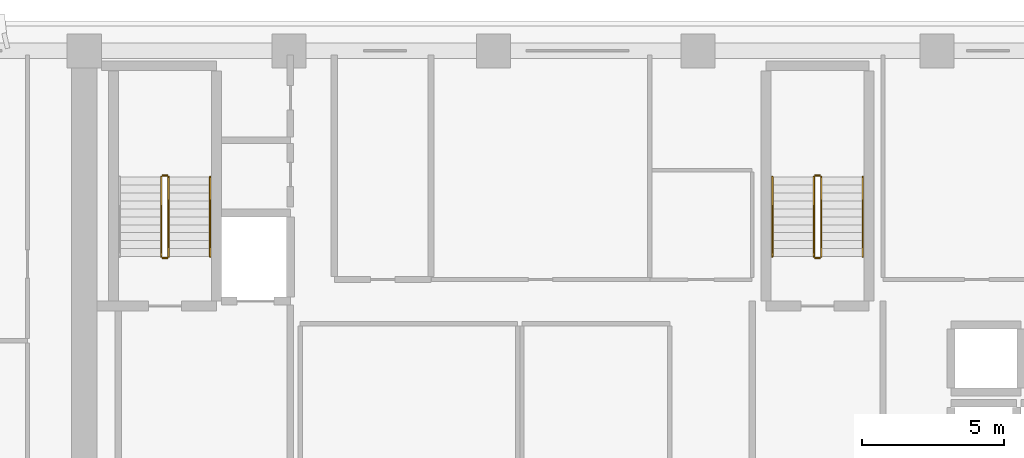
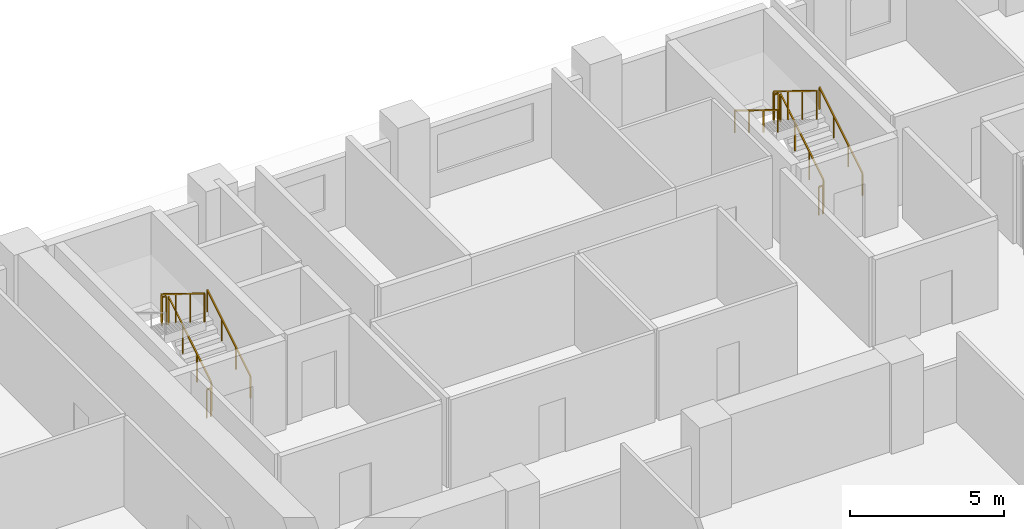
# One storey, part 13 of 15: 11 railings.
"""IFC4 building model written with IfcOpenShell, lengths in metres."""

import ifcopenshell
import ifcopenshell.guid

model = None  # the IFC model being written
_history = None  # IfcOwnerHistory: only IFC2X3 demands one
_inside = {}  # id of a spatial element -> (the spatial element, [elements in it])
_under = {}  # id of a project, library or spatial element -> (it, [spatial elements below it])
_declared = {}  # id of a project -> (the project, [libraries it declares])
_typed = {}  # id of a type object -> (the type object, [elements of that type])
_made_of = {}  # id of a material, layer set ... -> (it, [elements and type objects made of it])


def new_model(schema):
    """Start an empty IFC model of exactly this schema.

    Asked for "IFC4X3", IfcOpenShell would pick the latest addendum, in which some entities
    have other attributes; the version numbers below select the first issue.
    IFC2X3 requires an IfcOwnerHistory on every rooted entity: one is made here for all.
    """
    global model, _history
    if schema == "IFC4X3":
        model = ifcopenshell.file(schema_version=(4, 3, 0, 0))
    else:
        model = ifcopenshell.file(schema=schema)
    _inside.clear()
    _under.clear()
    _declared.clear()
    _typed.clear()
    _made_of.clear()
    _history = None
    if model.schema == "IFC2X3":
        org = make("IfcOrganization", Name="unknown")
        user = make(
            "IfcPersonAndOrganization",
            ThePerson=make("IfcPerson", FamilyName="unknown"),
            TheOrganization=org,
        )
        app = make(
            "IfcApplication",
            ApplicationDeveloper=org,
            Version="unknown",
            ApplicationFullName="unknown",
            ApplicationIdentifier="unknown",
        )
        _history = make(
            "IfcOwnerHistory",
            OwningUser=user,
            OwningApplication=app,
            ChangeAction="ADDED",
            CreationDate=0,
        )
    return model


def make(cls, **values):
    """One entity of the class cls with the attributes given. An attribute that is None is left unset."""
    return model.create_entity(
        cls, **{name: value for name, value in values.items() if value is not None}
    )


def rooted(cls, **values):
    """An entity with a GlobalId (a new one), such as an element, a storey or a relation."""
    return make(cls, GlobalId=ifcopenshell.guid.new(), OwnerHistory=_history, **values)


def si_unit(unit_type, name, prefix=None):
    """IfcSIUnit, for example si_unit("LENGTHUNIT", "METRE", prefix="MILLI")."""
    return make("IfcSIUnit", UnitType=unit_type, Prefix=prefix, Name=name)


def assignment(units):
    """IfcUnitAssignment: the units of a project."""
    return None if units is None else make("IfcUnitAssignment", Units=units)


def point(xyz):
    """IfcCartesianPoint."""
    return None if xyz is None else make("IfcCartesianPoint", Coordinates=xyz)


def direction(xyz):
    """IfcDirection."""
    return None if xyz is None else make("IfcDirection", DirectionRatios=xyz)


def frame(location, z_axis=None, x_axis=None):
    """IfcAxis2Placement3D, a coordinate frame: its origin and axes. An axis left out is left unset."""
    return make(
        "IfcAxis2Placement3D",
        Location=point(location),
        Axis=direction(z_axis),
        RefDirection=direction(x_axis),
    )


def frame_2d(location, x_axis=None):
    """IfcAxis2Placement2D, a coordinate frame in the plane: its origin and x axis."""
    return make(
        "IfcAxis2Placement2D", Location=point(location), RefDirection=direction(x_axis)
    )


def origin():
    """The frame at (0, 0, 0) with its axes left unset."""
    return frame((0.0, 0.0, 0.0))


def origin_2d():
    """The frame at (0, 0) in the plane with its x axis left unset."""
    return frame_2d((0.0, 0.0))


def place(relative_to, where):
    """IfcLocalPlacement: puts the frame where relative to a parent placement (None: the world)."""
    return make(
        "IfcLocalPlacement", PlacementRelTo=relative_to, RelativePlacement=where
    )


def context(
    kind, dimensions, precision=None, world=None, true_north=None, identifier=None
):
    """IfcGeometricRepresentationContext, for example the 3D "Model" context."""
    return make(
        "IfcGeometricRepresentationContext",
        ContextIdentifier=identifier,
        ContextType=kind,
        CoordinateSpaceDimension=dimensions,
        Precision=precision,
        WorldCoordinateSystem=world,
        TrueNorth=true_north,
    )


def subcontext(parent, identifier, kind, view, scale=None):
    """IfcGeometricRepresentationSubContext, for example "Body" below "Model"."""
    return make(
        "IfcGeometricRepresentationSubContext",
        ContextIdentifier=identifier,
        ContextType=kind,
        ParentContext=parent,
        TargetScale=scale,
        TargetView=view,
    )


def project(units=None, contexts=None):
    """IfcProject with its units and contexts."""
    return rooted(
        "IfcProject",
        Name="project",
        RepresentationContexts=contexts,
        UnitsInContext=assignment(units),
    )


def spatial(cls, under=None, at=None, **own):
    """A site, building, storey or space (cls), placed at a placement, below another one or the project."""
    s = rooted(cls, ObjectPlacement=at, **own)
    if under is not None:
        _under.setdefault(under.id(), (under, []))[1].append(s)
    return s


def profile(cls, at=None, kind="AREA", **sizes):
    """A parametric profile (cls). Its sizes go by their IFC names, for example OverallWidth=200.0."""
    return make(cls, ProfileType=kind, Position=at, **sizes)


def rectangle(**sizes):
    """IfcRectangleProfileDef."""
    return profile("IfcRectangleProfileDef", **sizes)


def extrude(swept, where, along, depth):
    """IfcExtrudedAreaSolid: the profile swept, set in the frame where, extruded along a direction by depth."""
    return make(
        "IfcExtrudedAreaSolid",
        SweptArea=swept,
        Position=where,
        ExtrudedDirection=direction(along),
        Depth=depth,
    )


def shape(context_of_items, identifier, shape_type, items):
    """IfcShapeRepresentation: the items that make up one representation, for example the "Body"."""
    return make(
        "IfcShapeRepresentation",
        ContextOfItems=context_of_items,
        RepresentationIdentifier=identifier,
        RepresentationType=shape_type,
        Items=items,
    )


def material(Name=None, Category=None):
    """IfcMaterial."""
    return make("IfcMaterial", Name=Name, Category=Category)


def made_of(thing, what):
    """Note that an element or type object is made of a material, layer set ...; save() writes the relation."""
    if what is not None:
        _made_of.setdefault(what.id(), (what, []))[1].append(thing)
    return thing


def type_object(cls, material=None, **own):
    """A type object (cls), such as IfcWallType, which elements share."""
    return made_of(rooted(cls, **own), material)


def element(
    cls,
    number,
    at=None,
    inside=None,
    cuts=None,
    type_object=None,
    material=None,
    context=None,
    identifier="Body",
    shape_type=None,
    held_by="IfcProductDefinitionShape",
    body=None,
    shapes=None,
    **own,
):
    """One element of the class cls, such as IfcWall. Its Tag is "e" and its number.

    at: its placement. inside: the storey or other place that contains it. cuts: it is an
    opening in that element (IfcRelVoidsElement). A single representation is given by context,
    identifier, shape_type and body (its items); several are given by shapes. held_by: the class
    of the entity that holds the representations. save() writes the other relations.
    """
    e = rooted(cls, Tag="e%d" % number, ObjectPlacement=at, **own)
    if body is not None:
        shapes = [shape(context, identifier, shape_type, body)]
    if shapes is not None:
        e.Representation = make(held_by, Representations=shapes)
    if inside is not None:
        _inside.setdefault(inside.id(), (inside, []))[1].append(e)
    if cuts is not None:
        rooted(
            "IfcRelVoidsElement", RelatingBuildingElement=cuts, RelatedOpeningElement=e
        )
    if type_object is not None:
        _typed.setdefault(type_object.id(), (type_object, []))[1].append(e)
    return made_of(e, material)


def aggregate(whole, parts):
    """IfcRelAggregates: a whole, such as a stair, and the parts it consists of."""
    return rooted("IfcRelAggregates", RelatingObject=whole, RelatedObjects=parts)


def save(model, path):
    """Write the relations noted so far, then the file.

    IfcRelAggregates (storeys below a building ...), IfcRelContainedInSpatialStructure (elements
    in a storey), IfcRelDefinesByType, IfcRelAssociatesMaterial and IfcRelDeclares: one each for
    every whole, place, type object, material and project.
    """
    for whole, parts in _under.values():
        aggregate(whole, parts)
    for where, things in _inside.values():
        rooted(
            "IfcRelContainedInSpatialStructure",
            RelatedElements=things,
            RelatingStructure=where,
        )
    for kind, things in _typed.values():
        rooted("IfcRelDefinesByType", RelatedObjects=things, RelatingType=kind)
    for what, things in _made_of.values():
        rooted("IfcRelAssociatesMaterial", RelatedObjects=things, RelatingMaterial=what)
    for by, libraries in _declared.values():
        rooted("IfcRelDeclares", RelatingContext=by, RelatedDefinitions=libraries)
    model.write(path)


model = new_model("IFC4")

# Units and contexts
model_context = context("Model", 3, precision=1e-05, world=origin(), true_north=direction((0.0, 1.0)))
body_context = subcontext(model_context, "Body", "Model", "MODEL_VIEW")
ifc_project = project(units=[si_unit("LENGTHUNIT", "METRE"), si_unit("AREAUNIT", "SQUARE_METRE"), si_unit("VOLUMEUNIT", "CUBIC_METRE"), si_unit("PLANEANGLEUNIT", "RADIAN"), si_unit("MASSUNIT", "GRAM", prefix="KILO")], contexts=[model_context])

# Site, building, storey
site_placement = place(None, origin())
site = spatial("IfcSite", under=ifc_project, at=site_placement, CompositionType="ELEMENT")
building_placement = place(site_placement, origin())
building = spatial("IfcBuilding", under=site, at=building_placement, Name="Kaelvorn Grand Hotel", CompositionType="ELEMENT")
storey_placement = place(building_placement, frame((0.0, 0.0, 146.75)))
storey = spatial("IfcBuildingStorey", under=building, at=storey_placement, Name="L35", CompositionType="ELEMENT", Elevation=146.75)

# Railings
ifc_material = material(Name="Stainless Steel", Category="steel")
railing_type_1 = type_object("IfcRailingType", Name="RL-HANDRAIL-900", PredefinedType="HANDRAIL", material=ifc_material)
for number, where, name in (
    (1, (20.6298828125, 41.760009765625, 0.172607421875), "L35 ST1 stair handrail 1"),
    (2, (43.590087890625, 41.760009765625, 0.172607421875), "L35 ST2 stair handrail 1"),
):
    element("IfcRailing", number, at=place(storey_placement, frame(where)), inside=storey, type_object=railing_type_1, Name=name, PredefinedType="HANDRAIL", context=body_context, shape_type="SweptSolid", body=[
        extrude(rectangle(XDim=0.048095703125, YDim=0.048095703125, at=origin_2d()), frame((0.0, 0.0, 0.8759765625), z_axis=(0.0, 0.851089632645, 0.525020415988), x_axis=(-1.0, 0.0, 0.0)), (0.0, 0.0, 1.0), 3.2900390625),
        extrude(rectangle(XDim=0.0419921875, YDim=0.0419921875, at=origin_2d()), origin(), (0.0, 0.0, 1.0), 0.851806640625),
        extrude(rectangle(XDim=0.0419921875, YDim=0.0419921875, at=origin_2d()), frame((0.0, 0.933349609375, 0.57568359375)), (0.0, 0.0, 1.0), 0.851806640625),
        extrude(rectangle(XDim=0.0419921875, YDim=0.0419921875, at=origin_2d()), frame((0.0, 1.86669921875, 1.151611328125)), (0.0, 0.0, 1.0), 0.851806640625),
        extrude(rectangle(XDim=0.0419921875, YDim=0.0419921875, at=origin_2d()), frame((0.0, 2.800048828125, 1.727294921875)), (0.0, 0.0, 1.0), 0.851806640625),
    ])
railing_1_placement = place(storey_placement, frame((40.409912109375, 44.56005859375, 2.07275390625)))
element("IfcRailing", 3, at=railing_1_placement, inside=storey, type_object=railing_type_1, Name="L35 ST2 stair handrail 2", PredefinedType="HANDRAIL", context=body_context, shape_type="SweptSolid", body=[
    extrude(rectangle(XDim=0.048095703125, YDim=0.048095703125, at=origin_2d()), frame((0.0, 0.0, 0.8759765625), z_axis=(0.0, -0.851089632645, 0.525020415988), x_axis=(1.0, 0.0, 0.0)), (0.0, 0.0, 1.0), 3.2900390625),
    extrude(rectangle(XDim=0.0419921875, YDim=0.0419921875, at=origin_2d()), origin(), (0.0, 0.0, 1.0), 0.851806640625),
    extrude(rectangle(XDim=0.0419921875, YDim=0.0419921875, at=origin_2d()), frame((0.0, -0.933349609375, 0.57568359375)), (0.0, 0.0, 1.0), 0.851806640625),
    extrude(rectangle(XDim=0.0419921875, YDim=0.0419921875, at=origin_2d()), frame((0.0, -1.86669921875, 1.151611328125)), (0.0, 0.0, 1.0), 0.851806640625),
    extrude(rectangle(XDim=0.0419921875, YDim=0.0419921875, at=origin_2d()), frame((0.0, -2.800048828125, 1.727294921875)), (0.0, 0.0, 1.0), 0.851806640625),
])
railing_type_2 = type_object("IfcRailingType", Name="RL-STAIR-GUARD-1150", PredefinedType="BALUSTRADE", material=ifc_material)
railing_2_placement = place(storey_placement, frame((19.169921875, 41.760009765625, 0.172607421875)))
element("IfcRailing", 4, at=railing_2_placement, inside=storey, type_object=railing_type_2, Name="L35 ST1 stair guard 1", PredefinedType="BALUSTRADE", context=body_context, shape_type="SweptSolid", body=[
    extrude(rectangle(XDim=0.048095703125, YDim=0.048095703125, at=origin_2d()), frame((0.0, 0.0, 1.1259765625), z_axis=(0.0, 0.851089632645, 0.525020415988), x_axis=(-1.0, 0.0, 0.0)), (0.0, 0.0, 1.0), 3.2900390625),
    extrude(rectangle(XDim=0.0419921875, YDim=0.0419921875, at=origin_2d()), origin(), (0.0, 0.0, 1.0), 1.101806640625),
    extrude(rectangle(XDim=0.0419921875, YDim=0.0419921875, at=origin_2d()), frame((0.0, 0.933349609375, 0.57568359375)), (0.0, 0.0, 1.0), 1.101806640625),
    extrude(rectangle(XDim=0.0419921875, YDim=0.0419921875, at=origin_2d()), frame((0.0, 1.86669921875, 1.151611328125)), (0.0, 0.0, 1.0), 1.101806640625),
    extrude(rectangle(XDim=0.0419921875, YDim=0.0419921875, at=origin_2d()), frame((0.0, 2.800048828125, 1.727294921875)), (0.0, 0.0, 1.0), 1.101806640625),
])
railing_3_placement = place(storey_placement, frame((19.1201171875, 44.610107421875, 1.89990234375)))
element("IfcRailing", 5, at=railing_3_placement, inside=storey, type_object=railing_type_2, Name="L35 ST1 stair guard 2", PredefinedType="BALUSTRADE", context=body_context, shape_type="SweptSolid", body=[
    extrude(rectangle(XDim=0.048095703125, YDim=0.048095703125, at=origin_2d()), frame((0.0, 0.0, 1.1259765625), z_axis=(-1.0, 0.0, 0.0), x_axis=(0.0, -1.0, 0.0)), (0.0, 0.0, 1.0), 0.16015625),
    extrude(rectangle(XDim=0.0419921875, YDim=0.0419921875, at=origin_2d()), origin(), (0.0, 0.0, 1.0), 1.101806640625),
    extrude(rectangle(XDim=0.0419921875, YDim=0.0419921875, at=origin_2d()), frame((-0.16015625, 0.0, 0.0)), (0.0, 0.0, 1.0), 1.101806640625),
])
railing_4_placement = place(storey_placement, frame((18.909912109375, 44.56005859375, 2.07275390625)))
element("IfcRailing", 6, at=railing_4_placement, inside=storey, type_object=railing_type_2, Name="L35 ST1 stair guard 3", PredefinedType="BALUSTRADE", context=body_context, shape_type="SweptSolid", body=[
    extrude(rectangle(XDim=0.048095703125, YDim=0.048095703125, at=origin_2d()), frame((0.0, 0.0, 1.1259765625), z_axis=(0.0, -0.851089632645, 0.525020415988), x_axis=(1.0, 0.0, 0.0)), (0.0, 0.0, 1.0), 3.2900390625),
    extrude(rectangle(XDim=0.0419921875, YDim=0.0419921875, at=origin_2d()), origin(), (0.0, 0.0, 1.0), 1.101806640625),
    extrude(rectangle(XDim=0.0419921875, YDim=0.0419921875, at=origin_2d()), frame((0.0, -0.933349609375, 0.57568359375)), (0.0, 0.0, 1.0), 1.101806640625),
    extrude(rectangle(XDim=0.0419921875, YDim=0.0419921875, at=origin_2d()), frame((0.0, -1.86669921875, 1.151611328125)), (0.0, 0.0, 1.0), 1.101806640625),
    extrude(rectangle(XDim=0.0419921875, YDim=0.0419921875, at=origin_2d()), frame((0.0, -2.800048828125, 1.727294921875)), (0.0, 0.0, 1.0), 1.101806640625),
])
railing_5_placement = place(storey_placement, frame((19.1201171875, 41.7099609375, 0.0)))
element("IfcRailing", 7, at=railing_5_placement, inside=storey, type_object=railing_type_2, Name="L35 ST1 stair guard 4", PredefinedType="BALUSTRADE", context=body_context, shape_type="SweptSolid", body=[
    extrude(rectangle(XDim=0.048095703125, YDim=0.048095703125, at=origin_2d()), frame((0.0, 0.0, 1.1259765625), z_axis=(-1.0, 0.0, 0.0), x_axis=(0.0, -1.0, 0.0)), (0.0, 0.0, 1.0), 0.16015625),
    extrude(rectangle(XDim=0.0419921875, YDim=0.0419921875, at=origin_2d()), origin(), (0.0, 0.0, 1.0), 1.101806640625),
    extrude(rectangle(XDim=0.0419921875, YDim=0.0419921875, at=origin_2d()), frame((-0.16015625, 0.0, 0.0)), (0.0, 0.0, 1.0), 1.101806640625),
])
railing_6_placement = place(storey_placement, frame((42.1298828125, 41.760009765625, 0.172607421875)))
element("IfcRailing", 8, at=railing_6_placement, inside=storey, type_object=railing_type_2, Name="L35 ST2 stair guard 1", PredefinedType="BALUSTRADE", context=body_context, shape_type="SweptSolid", body=[
    extrude(rectangle(XDim=0.048095703125, YDim=0.048095703125, at=origin_2d()), frame((0.0, 0.0, 1.1259765625), z_axis=(0.0, 0.851089632645, 0.525020415988), x_axis=(-1.0, 0.0, 0.0)), (0.0, 0.0, 1.0), 3.2900390625),
    extrude(rectangle(XDim=0.0419921875, YDim=0.0419921875, at=origin_2d()), origin(), (0.0, 0.0, 1.0), 1.101806640625),
    extrude(rectangle(XDim=0.0419921875, YDim=0.0419921875, at=origin_2d()), frame((0.0, 0.933349609375, 0.57568359375)), (0.0, 0.0, 1.0), 1.101806640625),
    extrude(rectangle(XDim=0.0419921875, YDim=0.0419921875, at=origin_2d()), frame((0.0, 1.86669921875, 1.151611328125)), (0.0, 0.0, 1.0), 1.101806640625),
    extrude(rectangle(XDim=0.0419921875, YDim=0.0419921875, at=origin_2d()), frame((0.0, 2.800048828125, 1.727294921875)), (0.0, 0.0, 1.0), 1.101806640625),
])
railing_7_placement = place(storey_placement, frame((42.080078125, 44.610107421875, 1.89990234375)))
element("IfcRailing", 9, at=railing_7_placement, inside=storey, type_object=railing_type_2, Name="L35 ST2 stair guard 2", PredefinedType="BALUSTRADE", context=body_context, shape_type="SweptSolid", body=[
    extrude(rectangle(XDim=0.048095703125, YDim=0.048095703125, at=origin_2d()), frame((0.0, 0.0, 1.1259765625), z_axis=(-1.0, 0.0, 0.0), x_axis=(0.0, -1.0, 0.0)), (0.0, 0.0, 1.0), 0.16015625),
    extrude(rectangle(XDim=0.0419921875, YDim=0.0419921875, at=origin_2d()), origin(), (0.0, 0.0, 1.0), 1.101806640625),
    extrude(rectangle(XDim=0.0419921875, YDim=0.0419921875, at=origin_2d()), frame((-0.16015625, 0.0, 0.0)), (0.0, 0.0, 1.0), 1.101806640625),
])
railing_8_placement = place(storey_placement, frame((41.8701171875, 44.56005859375, 2.07275390625)))
element("IfcRailing", 10, at=railing_8_placement, inside=storey, type_object=railing_type_2, Name="L35 ST2 stair guard 3", PredefinedType="BALUSTRADE", context=body_context, shape_type="SweptSolid", body=[
    extrude(rectangle(XDim=0.048095703125, YDim=0.048095703125, at=origin_2d()), frame((0.0, 0.0, 1.1259765625), z_axis=(0.0, -0.851089632645, 0.525020415988), x_axis=(1.0, 0.0, 0.0)), (0.0, 0.0, 1.0), 3.2900390625),
    extrude(rectangle(XDim=0.0419921875, YDim=0.0419921875, at=origin_2d()), origin(), (0.0, 0.0, 1.0), 1.101806640625),
    extrude(rectangle(XDim=0.0419921875, YDim=0.0419921875, at=origin_2d()), frame((0.0, -0.933349609375, 0.57568359375)), (0.0, 0.0, 1.0), 1.101806640625),
    extrude(rectangle(XDim=0.0419921875, YDim=0.0419921875, at=origin_2d()), frame((0.0, -1.86669921875, 1.151611328125)), (0.0, 0.0, 1.0), 1.101806640625),
    extrude(rectangle(XDim=0.0419921875, YDim=0.0419921875, at=origin_2d()), frame((0.0, -2.800048828125, 1.727294921875)), (0.0, 0.0, 1.0), 1.101806640625),
])
railing_9_placement = place(storey_placement, frame((42.080078125, 41.7099609375, 0.0)))
element("IfcRailing", 11, at=railing_9_placement, inside=storey, type_object=railing_type_2, Name="L35 ST2 stair guard 4", PredefinedType="BALUSTRADE", context=body_context, shape_type="SweptSolid", body=[
    extrude(rectangle(XDim=0.048095703125, YDim=0.048095703125, at=origin_2d()), frame((0.0, 0.0, 1.1259765625), z_axis=(-1.0, 0.0, 0.0), x_axis=(0.0, -1.0, 0.0)), (0.0, 0.0, 1.0), 0.16015625),
    extrude(rectangle(XDim=0.0419921875, YDim=0.0419921875, at=origin_2d()), origin(), (0.0, 0.0, 1.0), 1.101806640625),
    extrude(rectangle(XDim=0.0419921875, YDim=0.0419921875, at=origin_2d()), frame((-0.16015625, 0.0, 0.0)), (0.0, 0.0, 1.0), 1.101806640625),
])

save(model, "model.ifc")
